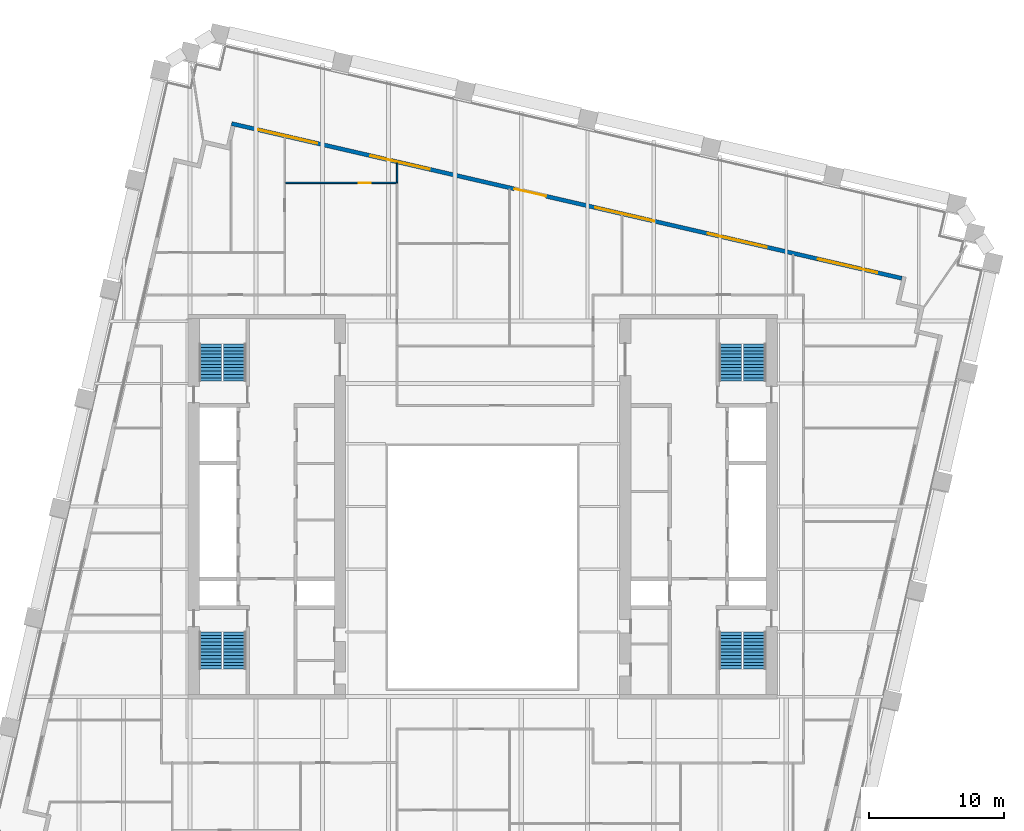
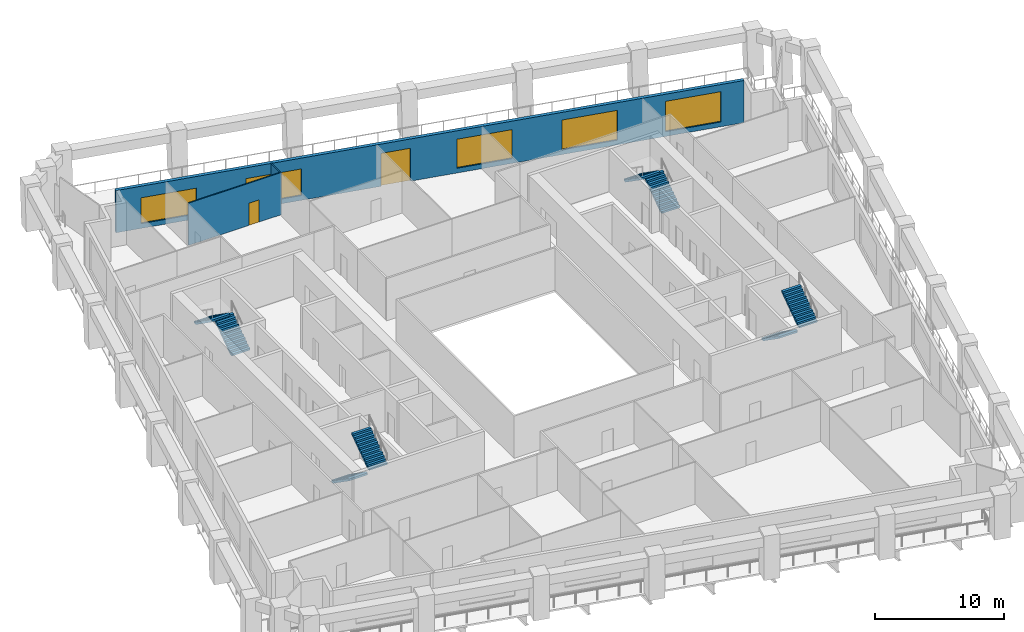
# One storey, part 10 of 12: 8 stair flights, 5 windows, 3 walls, 2 doors, 7 openings, 4 elements without a shape of their own.
"""IFC4 building model written with IfcOpenShell, lengths in metres."""

from ifc_helpers import new_model, si_unit, direction, frame, frame_2d, origin, place, context, subcontext, project, spatial, polyline, rectangle, outline, extrude, material, layer, layer_set, type_object, element, fill, aggregate, save


model = new_model("IFC4")

# Units and contexts
model_context = context("Model", 3, precision=1e-05, world=origin(), true_north=direction((0.0, 1.0)))
body_context = subcontext(model_context, "Body", "Model", "MODEL_VIEW")
ifc_project = project(units=[si_unit("LENGTHUNIT", "METRE"), si_unit("AREAUNIT", "SQUARE_METRE"), si_unit("VOLUMEUNIT", "CUBIC_METRE"), si_unit("PLANEANGLEUNIT", "RADIAN"), si_unit("MASSUNIT", "GRAM", prefix="KILO")], contexts=[model_context])

# Site, building, storey
site_placement = place(None, origin())
site = spatial("IfcSite", under=ifc_project, at=site_placement, CompositionType="ELEMENT")
building_placement = place(site_placement, origin())
building = spatial("IfcBuilding", under=site, at=building_placement, Name="Ogive Exchange Tower", CompositionType="ELEMENT")
storey_placement = place(building_placement, frame((0.0, 0.0, 139.199951171875)))
storey = spatial("IfcBuildingStorey", under=building, at=storey_placement, Name="L30", CompositionType="ELEMENT", Elevation=139.199951171875)

# Wall, openings, door, windows
ifc_material_1 = material(Name="Precast concrete C40/50", Category="concrete")
ifc_layer_1 = layer(ifc_material_1, 0.300048828125)
ifc_layer_set_1 = layer_set([ifc_layer_1], Name="Limestone-faced wall 300")
wall_type_1 = type_object("IfcWallType", Name="Limestone-faced wall 300", PredefinedType="STANDARD", material=ifc_layer_set_1)
wall_1_placement = place(storey_placement, frame((31.07763671875, 28.4208984375, 0.0), z_axis=(0.0, 0.0, 1.0), x_axis=(-0.974370456532, 0.224949357493, 0.0)))
wall_1 = element("IfcWall", 1, at=wall_1_placement, inside=storey, type_object=wall_type_1, Name="External wall N3", PredefinedType="STANDARD", context=body_context, shape_type="SweptSolid", body=[
    extrude(rectangle(XDim=51.0, YDim=0.300048828125, at=frame_2d((25.5, 0.0))), origin(), (0.0, 0.0, 1.0), 4.0),
])
opening_1_placement = place(wall_1_placement, frame((1.875, 0.0, 0.449951171875)))
opening_1 = element("IfcOpeningElement", 2, at=opening_1_placement, cuts=wall_1, Name="Opening W1D", PredefinedType="OPENING", context=body_context, shape_type="SweptSolid", body=[
    extrude(rectangle(XDim=4.5, YDim=2.875, at=frame_2d((2.25, 1.4375))), frame((0.0, 0.159912109375, 0.0), z_axis=(0.0, -1.0, 0.0), x_axis=(1.0, 0.0, 0.0)), (0.0, 0.0, 1.0), 0.320068359375),
])
opening_2_placement = place(wall_1_placement, frame((10.27490234375, 0.0, 0.449951171875)))
opening_2 = element("IfcOpeningElement", 3, at=opening_2_placement, cuts=wall_1, Name="Opening W1E", PredefinedType="OPENING", context=body_context, shape_type="SweptSolid", body=[
    extrude(rectangle(XDim=4.5, YDim=2.824951171875, at=frame_2d((2.25, 1.41259765625))), frame((0.0, 0.159912109375, 0.0), z_axis=(0.0, -1.0, 0.0), x_axis=(1.0, 0.0, 0.0)), (0.0, 0.0, 1.0), 0.320068359375),
])
opening_3_placement = place(wall_1_placement, frame((18.824951171875, 0.0, 0.449951171875)))
opening_3 = element("IfcOpeningElement", 4, at=opening_3_placement, cuts=wall_1, Name="Opening W1H", PredefinedType="OPENING", context=body_context, shape_type="SweptSolid", body=[
    extrude(rectangle(XDim=4.5, YDim=2.75, at=frame_2d((2.25, 1.375))), frame((0.0, 0.159912109375, 0.0), z_axis=(0.0, -1.0, 0.0), x_axis=(1.0, 0.0, 0.0)), (0.0, 0.0, 1.0), 0.320068359375),
])
opening_4_placement = place(wall_1_placement, frame((27.074951171875, 0.0, 0.0)))
opening_4 = element("IfcOpeningElement", 5, at=opening_4_placement, cuts=wall_1, Name="Opening D1J", PredefinedType="OPENING", context=body_context, shape_type="SweptSolid", body=[
    extrude(rectangle(XDim=2.39990234375, YDim=3.125, at=frame_2d((1.199951171875, 1.5625))), frame((0.0, 0.159912109375, 0.0), z_axis=(0.0, -1.0, 0.0), x_axis=(1.0, 0.0, 0.0)), (0.0, 0.0, 1.0), 0.320068359375),
])
opening_5_placement = place(wall_1_placement, frame((35.925048828125, 0.0, 0.449951171875)))
opening_5 = element("IfcOpeningElement", 6, at=opening_5_placement, cuts=wall_1, Name="Opening W1N", PredefinedType="OPENING", context=body_context, shape_type="SweptSolid", body=[
    extrude(rectangle(XDim=4.5, YDim=2.52490234375, at=frame_2d((2.25, 1.262451171875))), frame((0.0, 0.159912109375, 0.0), z_axis=(0.0, -1.0, 0.0), x_axis=(1.0, 0.0, 0.0)), (0.0, 0.0, 1.0), 0.320068359375),
])
opening_6_placement = place(wall_1_placement, frame((44.47509765625, 0.0, 0.449951171875)))
opening_6 = element("IfcOpeningElement", 7, at=opening_6_placement, cuts=wall_1, Name="Opening W1Q", PredefinedType="OPENING", context=body_context, shape_type="SweptSolid", body=[
    extrude(rectangle(XDim=4.5, YDim=2.449951171875, at=frame_2d((2.25, 1.22509765625))), frame((0.0, 0.159912109375, 0.0), z_axis=(0.0, -1.0, 0.0), x_axis=(1.0, 0.0, 0.0)), (0.0, 0.0, 1.0), 0.320068359375),
])
ifc_material_2 = material(Name="Clear glass in bronze frame", Category="glass")
door_type_1 = type_object("IfcDoorType", Name="Sliding loggia door 2400 x 3125", OperationType="DOUBLE_DOOR_SLIDING", PredefinedType="DOOR", material=ifc_material_2)
door_1_placement = place(opening_4_placement, origin())
door_1 = element("IfcDoor", 8, at=door_1_placement, inside=storey, type_object=door_type_1, Name="Loggia door N03", OperationType="DOUBLE_DOOR_SLIDING", OverallHeight=3.125, OverallWidth=2.39990234375, PredefinedType="DOOR", context=body_context, shape_type="SweptSolid", body=[
    extrude(rectangle(XDim=2.39990234375, YDim=3.125, at=frame_2d((1.199951171875, 1.5625))), frame((0.0, 0.02490234375, 0.0), z_axis=(0.0, -1.0, 0.0), x_axis=(1.0, 0.0, 0.0)), (0.0, 0.0, 1.0), 0.050048828125),
])
fill(opening_4, door_1)
window_type_1 = type_object("IfcWindowType", Name="Twin lancet window 4500 x 2450", PartitioningType="DOUBLE_PANEL_VERTICAL", PredefinedType="WINDOW", material=ifc_material_2)
window_1_placement = place(opening_6_placement, origin())
window_1 = element("IfcWindow", 9, at=window_1_placement, inside=storey, type_object=window_type_1, Name="Window N05", OverallHeight=2.449951171875, OverallWidth=4.5, PartitioningType="DOUBLE_PANEL_VERTICAL", PredefinedType="WINDOW", context=body_context, shape_type="SweptSolid", body=[
    extrude(rectangle(XDim=4.5, YDim=2.449951171875, at=frame_2d((2.25, 1.22509765625))), frame((0.0, 0.030029296875, 0.0), z_axis=(0.0, -1.0, 0.0), x_axis=(1.0, 0.0, 0.0)), (0.0, 0.0, 1.0), 0.06005859375),
])
fill(opening_6, window_1)
window_type_2 = type_object("IfcWindowType", Name="Twin lancet window 4500 x 2525", PartitioningType="DOUBLE_PANEL_VERTICAL", PredefinedType="WINDOW", material=ifc_material_2)
window_2_placement = place(opening_5_placement, origin())
window_2 = element("IfcWindow", 10, at=window_2_placement, inside=storey, type_object=window_type_2, Name="Window N04", OverallHeight=2.52490234375, OverallWidth=4.5, PartitioningType="DOUBLE_PANEL_VERTICAL", PredefinedType="WINDOW", context=body_context, shape_type="SweptSolid", body=[
    extrude(rectangle(XDim=4.5, YDim=2.52490234375, at=frame_2d((2.25, 1.262451171875))), frame((0.0, 0.030029296875, 0.0), z_axis=(0.0, -1.0, 0.0), x_axis=(1.0, 0.0, 0.0)), (0.0, 0.0, 1.0), 0.06005859375),
])
fill(opening_5, window_2)
window_type_3 = type_object("IfcWindowType", Name="Twin lancet window 4500 x 2750", PartitioningType="DOUBLE_PANEL_VERTICAL", PredefinedType="WINDOW", material=ifc_material_2)
window_3_placement = place(opening_3_placement, origin())
window_3 = element("IfcWindow", 11, at=window_3_placement, inside=storey, type_object=window_type_3, Name="Window N02", OverallHeight=2.75, OverallWidth=4.5, PartitioningType="DOUBLE_PANEL_VERTICAL", PredefinedType="WINDOW", context=body_context, shape_type="SweptSolid", body=[
    extrude(rectangle(XDim=4.5, YDim=2.75, at=frame_2d((2.25, 1.375))), frame((0.0, 0.030029296875, 0.0), z_axis=(0.0, -1.0, 0.0), x_axis=(1.0, 0.0, 0.0)), (0.0, 0.0, 1.0), 0.06005859375),
])
fill(opening_3, window_3)
window_type_4 = type_object("IfcWindowType", Name="Twin lancet window 4500 x 2825", PartitioningType="DOUBLE_PANEL_VERTICAL", PredefinedType="WINDOW", material=ifc_material_2)
window_4_placement = place(opening_2_placement, origin())
window_4 = element("IfcWindow", 12, at=window_4_placement, inside=storey, type_object=window_type_4, Name="Window N01", OverallHeight=2.824951171875, OverallWidth=4.5, PartitioningType="DOUBLE_PANEL_VERTICAL", PredefinedType="WINDOW", context=body_context, shape_type="SweptSolid", body=[
    extrude(rectangle(XDim=4.5, YDim=2.824951171875, at=frame_2d((2.25, 1.41259765625))), frame((0.0, 0.030029296875, 0.0), z_axis=(0.0, -1.0, 0.0), x_axis=(1.0, 0.0, 0.0)), (0.0, 0.0, 1.0), 0.06005859375),
])
fill(opening_2, window_4)
window_type_5 = type_object("IfcWindowType", Name="Twin lancet window 4500 x 2875", PartitioningType="DOUBLE_PANEL_VERTICAL", PredefinedType="WINDOW", material=ifc_material_2)
window_5_placement = place(opening_1_placement, origin())
window_5 = element("IfcWindow", 13, at=window_5_placement, inside=storey, type_object=window_type_5, Name="Window N00", OverallHeight=2.875, OverallWidth=4.5, PartitioningType="DOUBLE_PANEL_VERTICAL", PredefinedType="WINDOW", context=body_context, shape_type="SweptSolid", body=[
    extrude(rectangle(XDim=4.5, YDim=2.875, at=frame_2d((2.25, 1.4375))), frame((0.0, 0.030029296875, 0.0), z_axis=(0.0, -1.0, 0.0), x_axis=(1.0, 0.0, 0.0)), (0.0, 0.0, 1.0), 0.06005859375),
])
fill(opening_1, window_5)

# Wall, opening, door
ifc_material_3 = material(Name="Partition 100 gypsum")
ifc_layer_2 = layer(ifc_material_3, 0.10009765625)
ifc_layer_set_2 = layer_set([ifc_layer_2], Name="Partition 100 gypsum")
wall_type_2 = type_object("IfcWallType", Name="Partition 100 gypsum", PredefinedType="PARTITIONING", material=ifc_layer_set_2)
wall_2_placement = place(storey_placement, frame((-14.6201171875, 35.5, 0.0), z_axis=(0.0, 0.0, 1.0), x_axis=(1.0, 0.0, 0.0)))
wall_2 = element("IfcWall", 14, at=wall_2_placement, inside=storey, type_object=wall_type_2, Name="L30-PWL-030", PredefinedType="PARTITIONING", context=body_context, shape_type="SweptSolid", body=[
    extrude(rectangle(XDim=8.330078125, YDim=0.10009765625, at=frame_2d((4.1650390625, 0.0))), origin(), (0.0, 0.0, 1.0), 4.0),
])
opening_7_placement = place(wall_2_placement, frame((5.429931640625, 0.0, 0.0)))
opening_7 = element("IfcOpeningElement", 15, at=opening_7_placement, cuts=wall_2, Name="Opening L30-I19", PredefinedType="OPENING", context=body_context, shape_type="SweptSolid", body=[
    extrude(rectangle(XDim=0.89990234375, YDim=2.10009765625, at=frame_2d((0.449951171875, 1.050048828125))), frame((0.0, 0.06005859375, 0.0), z_axis=(0.0, -1.0, 0.0), x_axis=(1.0, 0.0, 0.0)), (0.0, 0.0, 1.0), 0.1201171875),
])
ifc_material_4 = material(Name="Door 900 x 2100")
door_type_2 = type_object("IfcDoorType", Name="Door 900 x 2100", OperationType="NOTDEFINED", PredefinedType="DOOR", material=ifc_material_4)
door_2_placement = place(opening_7_placement, origin())
door_2 = element("IfcDoor", 16, at=door_2_placement, inside=storey, type_object=door_type_2, Name="L30-IDR-019", ObjectType="DT1", OperationType="SINGLE_SWING_LEFT", OverallHeight=2.10009765625, OverallWidth=0.89990234375, PredefinedType="DOOR", context=body_context, shape_type="SweptSolid", body=[
    extrude(rectangle(XDim=0.89990234375, YDim=2.10009765625, at=frame_2d((0.449951171875, 1.050048828125))), frame((0.0, 0.02490234375, 0.0), z_axis=(0.0, -1.0, 0.0), x_axis=(1.0, 0.0, 0.0)), (0.0, 0.0, 1.0), 0.050048828125),
])
fill(opening_7, door_2)

# Wall
wall_3_placement = place(storey_placement, frame((-6.340087890625, 35.550048828125, 0.0), z_axis=(0.0, 0.0, 1.0), x_axis=(0.0, 1.0, 0.0)))
element("IfcWall", 17, at=wall_3_placement, inside=storey, type_object=wall_type_2, Name="L30-PWL-049", PredefinedType="PARTITIONING", context=body_context, shape_type="SweptSolid", body=[
    extrude(rectangle(XDim=1.43798828125, YDim=0.10009765625, at=frame_2d((0.718994140625, 0.0))), origin(), (0.0, 0.0, 1.0), 4.0),
])

# Stair, stair flights
ifc_material_5 = material(Name="Concrete C40/50", Category="concrete")
stair_type = type_object("IfcStairType", Name="Exit stair 1650 wide", PredefinedType="HALF_TURN_STAIR", material=ifc_material_5)
stair_1_placement = place(storey_placement, origin())
stair_1 = element("IfcStair", 18, at=stair_1_placement, inside=storey, type_object=stair_type, Name="L30 exit stair ST1", PredefinedType="HALF_TURN_STAIR")
stair_flight_type = type_object("IfcStairFlightType", Name="Stair flight 1650 wide", PredefinedType="STRAIGHT", material=ifc_material_5)
stair_flight_1_placement = place(storey_placement, frame((-20.175048828125, 2.199951171875, 0.0), z_axis=(0.0, 0.0, 1.0), x_axis=(0.0, -1.0, 0.0)))
stair_flight_1 = element("IfcStairFlight", 19, at=stair_flight_1_placement, type_object=stair_flight_type, Name="ST1 flight 1", NumberOfRisers=12, NumberOfTreads=11, PredefinedType="STRAIGHT", RiserHeight=0.175, TreadLength=0.25, context=body_context, shape_type="SweptSolid", body=[
    extrude(outline(polyline([(0.0, 0.0), (0.0, 0.175048828125), (0.25, 0.175048828125), (0.25, 0.35009765625), (0.5, 0.35009765625), (0.5, 0.52490234375), (0.75, 0.52490234375), (0.75, 0.699951171875), (1.0, 0.699951171875), (1.0, 0.875), (1.25, 0.875), (1.25, 1.050048828125), (1.5, 1.050048828125), (1.5, 1.22509765625), (1.75, 1.22509765625), (1.75, 1.39990234375), (2.0, 1.39990234375), (2.0, 1.574951171875), (2.25, 1.574951171875), (2.25, 1.75), (2.5, 1.75), (2.5, 1.925048828125), (2.75, 1.925048828125), (2.75, 2.10009765625), (2.75, 1.741943359375), (0.261474609375, 0.0), (0.0, 0.0)])), frame((0.0, 0.824951171875, 0.0), z_axis=(0.0, -1.0, 0.0), x_axis=(1.0, 0.0, 0.0)), (0.0, 0.0, 1.0), 1.64990234375),
])
stair_flight_2_placement = place(storey_placement, frame((-18.375, -0.550048828125, 2.10009765625), z_axis=(0.0, 0.0, 1.0), x_axis=(0.0, 1.0, 0.0)))
stair_flight_2 = element("IfcStairFlight", 20, at=stair_flight_2_placement, type_object=stair_flight_type, Name="ST1 flight 2", NumberOfRisers=12, NumberOfTreads=11, PredefinedType="STRAIGHT", RiserHeight=0.175, TreadLength=0.25, context=body_context, shape_type="SweptSolid", body=[
    extrude(outline(polyline([(0.0, 0.0), (0.0, 0.175048828125), (0.25, 0.175048828125), (0.25, 0.35009765625), (0.5, 0.35009765625), (0.5, 0.52490234375), (0.75, 0.52490234375), (0.75, 0.699951171875), (1.0, 0.699951171875), (1.0, 0.875), (1.25, 0.875), (1.25, 1.050048828125), (1.5, 1.050048828125), (1.5, 1.22509765625), (1.75, 1.22509765625), (1.75, 1.39990234375), (2.0, 1.39990234375), (2.0, 1.574951171875), (2.25, 1.574951171875), (2.25, 1.75), (2.5, 1.75), (2.5, 1.925048828125), (2.75, 1.925048828125), (2.75, 2.10009765625), (2.75, 1.741943359375), (0.261474609375, 0.0), (0.0, 0.0)])), frame((0.0, 0.824951171875, 0.0), z_axis=(0.0, -1.0, 0.0), x_axis=(1.0, 0.0, 0.0)), (0.0, 0.0, 1.0), 1.64990234375),
])
aggregate(stair_1, [stair_flight_1, stair_flight_2])

stair_2_placement = place(storey_placement, origin())
stair_2 = element("IfcStair", 21, at=stair_2_placement, inside=storey, type_object=stair_type, Name="L30 exit stair ST2", PredefinedType="HALF_TURN_STAIR")
stair_flight_3_placement = place(storey_placement, frame((-18.375, 20.800048828125, 0.0), z_axis=(0.0, 0.0, 1.0), x_axis=(0.0, 1.0, 0.0)))
stair_flight_3 = element("IfcStairFlight", 22, at=stair_flight_3_placement, type_object=stair_flight_type, Name="ST2 flight 1", NumberOfRisers=12, NumberOfTreads=11, PredefinedType="STRAIGHT", RiserHeight=0.175, TreadLength=0.25, context=body_context, shape_type="SweptSolid", body=[
    extrude(outline(polyline([(0.0, 0.0), (0.0, 0.175048828125), (0.25, 0.175048828125), (0.25, 0.35009765625), (0.5, 0.35009765625), (0.5, 0.52490234375), (0.75, 0.52490234375), (0.75, 0.699951171875), (1.0, 0.699951171875), (1.0, 0.875), (1.25, 0.875), (1.25, 1.050048828125), (1.5, 1.050048828125), (1.5, 1.22509765625), (1.75, 1.22509765625), (1.75, 1.39990234375), (2.0, 1.39990234375), (2.0, 1.574951171875), (2.25, 1.574951171875), (2.25, 1.75), (2.5, 1.75), (2.5, 1.925048828125), (2.75, 1.925048828125), (2.75, 2.10009765625), (2.75, 1.741943359375), (0.261474609375, 0.0), (0.0, 0.0)])), frame((0.0, 0.824951171875, 0.0), z_axis=(0.0, -1.0, 0.0), x_axis=(1.0, 0.0, 0.0)), (0.0, 0.0, 1.0), 1.64990234375),
])
stair_flight_4_placement = place(storey_placement, frame((-20.175048828125, 23.550048828125, 2.10009765625), z_axis=(0.0, 0.0, 1.0), x_axis=(0.0, -1.0, 0.0)))
stair_flight_4 = element("IfcStairFlight", 23, at=stair_flight_4_placement, type_object=stair_flight_type, Name="ST2 flight 2", NumberOfRisers=12, NumberOfTreads=11, PredefinedType="STRAIGHT", RiserHeight=0.175, TreadLength=0.25, context=body_context, shape_type="SweptSolid", body=[
    extrude(outline(polyline([(0.0, 0.0), (0.0, 0.175048828125), (0.25, 0.175048828125), (0.25, 0.35009765625), (0.5, 0.35009765625), (0.5, 0.52490234375), (0.75, 0.52490234375), (0.75, 0.699951171875), (1.0, 0.699951171875), (1.0, 0.875), (1.25, 0.875), (1.25, 1.050048828125), (1.5, 1.050048828125), (1.5, 1.22509765625), (1.75, 1.22509765625), (1.75, 1.39990234375), (2.0, 1.39990234375), (2.0, 1.574951171875), (2.25, 1.574951171875), (2.25, 1.75), (2.5, 1.75), (2.5, 1.925048828125), (2.75, 1.925048828125), (2.75, 2.10009765625), (2.75, 1.741943359375), (0.261474609375, 0.0), (0.0, 0.0)])), frame((0.0, 0.824951171875, 0.0), z_axis=(0.0, -1.0, 0.0), x_axis=(1.0, 0.0, 0.0)), (0.0, 0.0, 1.0), 1.64990234375),
])
aggregate(stair_2, [stair_flight_3, stair_flight_4])

stair_3_placement = place(storey_placement, origin())
stair_3 = element("IfcStair", 24, at=stair_3_placement, inside=storey, type_object=stair_type, Name="L30 exit stair ST3", PredefinedType="HALF_TURN_STAIR")
stair_flight_5_placement = place(storey_placement, frame((18.375, 2.199951171875, 0.0), z_axis=(0.0, 0.0, 1.0), x_axis=(0.0, -1.0, 0.0)))
stair_flight_5 = element("IfcStairFlight", 25, at=stair_flight_5_placement, type_object=stair_flight_type, Name="ST3 flight 1", NumberOfRisers=12, NumberOfTreads=11, PredefinedType="STRAIGHT", RiserHeight=0.175, TreadLength=0.25, context=body_context, shape_type="SweptSolid", body=[
    extrude(outline(polyline([(0.0, 0.0), (0.0, 0.175048828125), (0.25, 0.175048828125), (0.25, 0.35009765625), (0.5, 0.35009765625), (0.5, 0.52490234375), (0.75, 0.52490234375), (0.75, 0.699951171875), (1.0, 0.699951171875), (1.0, 0.875), (1.25, 0.875), (1.25, 1.050048828125), (1.5, 1.050048828125), (1.5, 1.22509765625), (1.75, 1.22509765625), (1.75, 1.39990234375), (2.0, 1.39990234375), (2.0, 1.574951171875), (2.25, 1.574951171875), (2.25, 1.75), (2.5, 1.75), (2.5, 1.925048828125), (2.75, 1.925048828125), (2.75, 2.10009765625), (2.75, 1.741943359375), (0.261474609375, 0.0), (0.0, 0.0)])), frame((0.0, 0.824951171875, 0.0), z_axis=(0.0, -1.0, 0.0), x_axis=(1.0, 0.0, 0.0)), (0.0, 0.0, 1.0), 1.64990234375),
])
stair_flight_6_placement = place(storey_placement, frame((20.175048828125, -0.550048828125, 2.10009765625), z_axis=(0.0, 0.0, 1.0), x_axis=(0.0, 1.0, 0.0)))
stair_flight_6 = element("IfcStairFlight", 26, at=stair_flight_6_placement, type_object=stair_flight_type, Name="ST3 flight 2", NumberOfRisers=12, NumberOfTreads=11, PredefinedType="STRAIGHT", RiserHeight=0.175, TreadLength=0.25, context=body_context, shape_type="SweptSolid", body=[
    extrude(outline(polyline([(0.0, 0.0), (0.0, 0.175048828125), (0.25, 0.175048828125), (0.25, 0.35009765625), (0.5, 0.35009765625), (0.5, 0.52490234375), (0.75, 0.52490234375), (0.75, 0.699951171875), (1.0, 0.699951171875), (1.0, 0.875), (1.25, 0.875), (1.25, 1.050048828125), (1.5, 1.050048828125), (1.5, 1.22509765625), (1.75, 1.22509765625), (1.75, 1.39990234375), (2.0, 1.39990234375), (2.0, 1.574951171875), (2.25, 1.574951171875), (2.25, 1.75), (2.5, 1.75), (2.5, 1.925048828125), (2.75, 1.925048828125), (2.75, 2.10009765625), (2.75, 1.741943359375), (0.261474609375, 0.0), (0.0, 0.0)])), frame((0.0, 0.824951171875, 0.0), z_axis=(0.0, -1.0, 0.0), x_axis=(1.0, 0.0, 0.0)), (0.0, 0.0, 1.0), 1.64990234375),
])
aggregate(stair_3, [stair_flight_5, stair_flight_6])

stair_4_placement = place(storey_placement, origin())
stair_4 = element("IfcStair", 27, at=stair_4_placement, inside=storey, type_object=stair_type, Name="L30 exit stair ST4", PredefinedType="HALF_TURN_STAIR")
stair_flight_7_placement = place(storey_placement, frame((20.175048828125, 20.800048828125, 0.0), z_axis=(0.0, 0.0, 1.0), x_axis=(0.0, 1.0, 0.0)))
stair_flight_7 = element("IfcStairFlight", 28, at=stair_flight_7_placement, type_object=stair_flight_type, Name="ST4 flight 1", NumberOfRisers=12, NumberOfTreads=11, PredefinedType="STRAIGHT", RiserHeight=0.175, TreadLength=0.25, context=body_context, shape_type="SweptSolid", body=[
    extrude(outline(polyline([(0.0, 0.0), (0.0, 0.175048828125), (0.25, 0.175048828125), (0.25, 0.35009765625), (0.5, 0.35009765625), (0.5, 0.52490234375), (0.75, 0.52490234375), (0.75, 0.699951171875), (1.0, 0.699951171875), (1.0, 0.875), (1.25, 0.875), (1.25, 1.050048828125), (1.5, 1.050048828125), (1.5, 1.22509765625), (1.75, 1.22509765625), (1.75, 1.39990234375), (2.0, 1.39990234375), (2.0, 1.574951171875), (2.25, 1.574951171875), (2.25, 1.75), (2.5, 1.75), (2.5, 1.925048828125), (2.75, 1.925048828125), (2.75, 2.10009765625), (2.75, 1.741943359375), (0.261474609375, 0.0), (0.0, 0.0)])), frame((0.0, 0.824951171875, 0.0), z_axis=(0.0, -1.0, 0.0), x_axis=(1.0, 0.0, 0.0)), (0.0, 0.0, 1.0), 1.64990234375),
])
stair_flight_8_placement = place(storey_placement, frame((18.375, 23.550048828125, 2.10009765625), z_axis=(0.0, 0.0, 1.0), x_axis=(0.0, -1.0, 0.0)))
stair_flight_8 = element("IfcStairFlight", 29, at=stair_flight_8_placement, type_object=stair_flight_type, Name="ST4 flight 2", NumberOfRisers=12, NumberOfTreads=11, PredefinedType="STRAIGHT", RiserHeight=0.175, TreadLength=0.25, context=body_context, shape_type="SweptSolid", body=[
    extrude(outline(polyline([(0.0, 0.0), (0.0, 0.175048828125), (0.25, 0.175048828125), (0.25, 0.35009765625), (0.5, 0.35009765625), (0.5, 0.52490234375), (0.75, 0.52490234375), (0.75, 0.699951171875), (1.0, 0.699951171875), (1.0, 0.875), (1.25, 0.875), (1.25, 1.050048828125), (1.5, 1.050048828125), (1.5, 1.22509765625), (1.75, 1.22509765625), (1.75, 1.39990234375), (2.0, 1.39990234375), (2.0, 1.574951171875), (2.25, 1.574951171875), (2.25, 1.75), (2.5, 1.75), (2.5, 1.925048828125), (2.75, 1.925048828125), (2.75, 2.10009765625), (2.75, 1.741943359375), (0.261474609375, 0.0), (0.0, 0.0)])), frame((0.0, 0.824951171875, 0.0), z_axis=(0.0, -1.0, 0.0), x_axis=(1.0, 0.0, 0.0)), (0.0, 0.0, 1.0), 1.64990234375),
])
aggregate(stair_4, [stair_flight_7, stair_flight_8])

save(model, "model.ifc")
